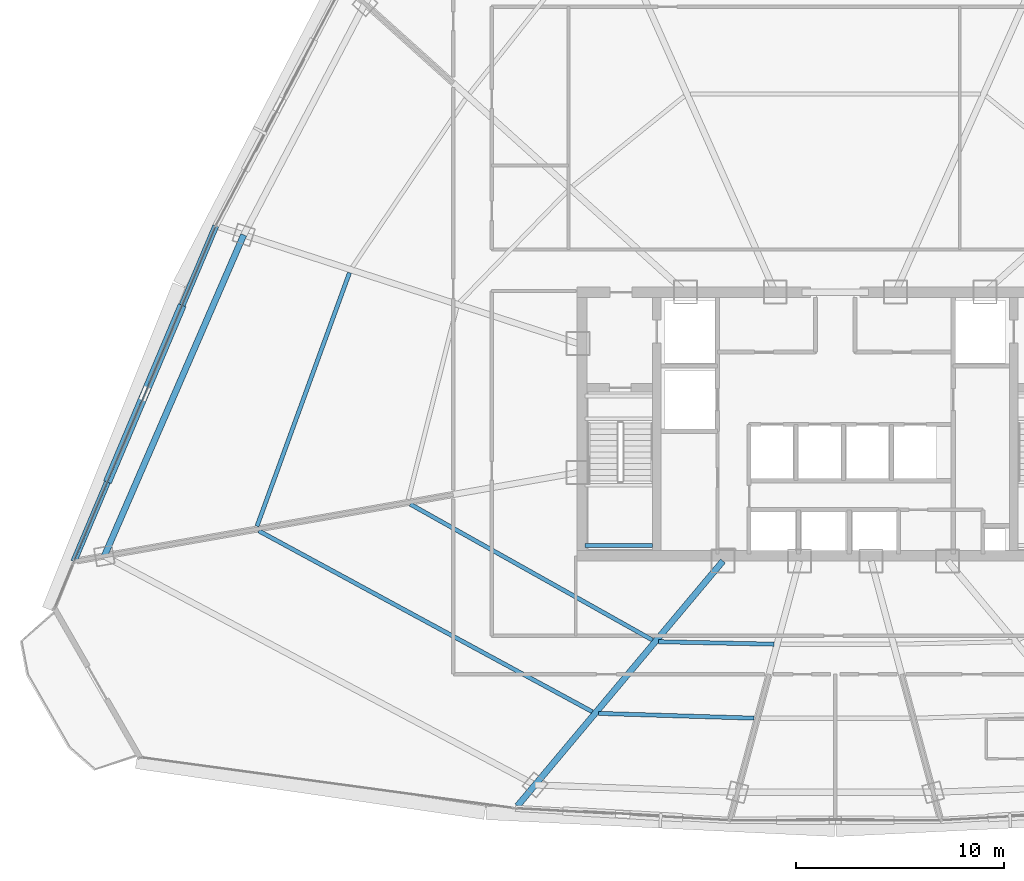
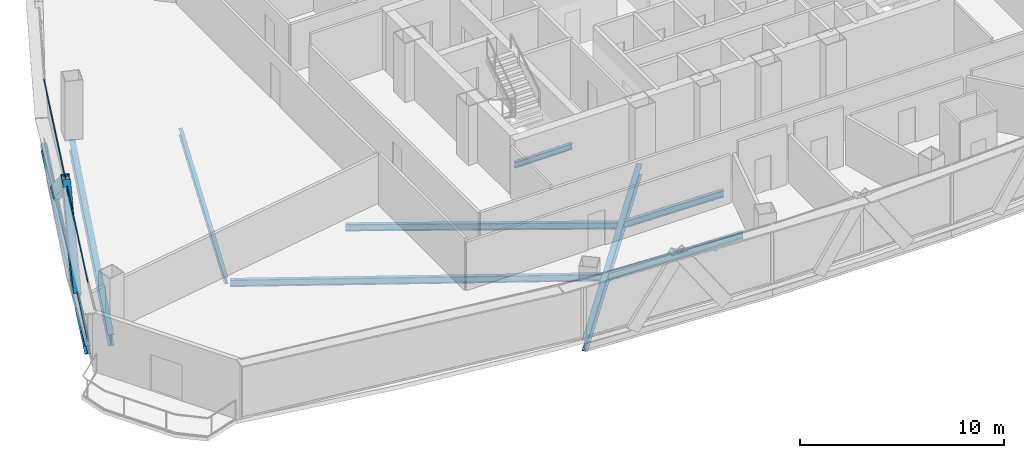
# One storey, part 7 of 36: 9 beams, 4 members, 1 element without a shape of its own.
"""IFC4 building model written with IfcOpenShell, lengths in metres."""

from ifc_helpers import new_model, si_unit, direction, frame, origin, origin_2d, place, context, subcontext, project, spatial, hollow_rectangle, i_section, extrude, source, transform, mapped, material, layer, layer_set, material_profile, profile_set, type_object, element, aggregate, save


model = new_model("IFC4")

# Units and contexts
model_context = context("Model", 3, precision=1e-05, world=origin(), true_north=direction((0.0, 1.0)))
body_context = subcontext(model_context, "Body", "Model", "MODEL_VIEW")
ifc_project = project(units=[si_unit("LENGTHUNIT", "METRE"), si_unit("AREAUNIT", "SQUARE_METRE"), si_unit("VOLUMEUNIT", "CUBIC_METRE"), si_unit("PLANEANGLEUNIT", "RADIAN"), si_unit("MASSUNIT", "GRAM", prefix="KILO"), si_unit("THERMODYNAMICTEMPERATUREUNIT", "KELVIN"), si_unit("POWERUNIT", "WATT")], contexts=[model_context])

# Site, building, storey
site_placement = place(None, origin())
site = spatial("IfcSite", under=ifc_project, at=site_placement, CompositionType="ELEMENT")
building_placement = place(site_placement, origin())
building = spatial("IfcBuilding", under=site, at=building_placement, Name="Yunzhuo Pagoda Commons", CompositionType="ELEMENT")
storey_placement = place(building_placement, frame((0.0, 0.0, 211.360107421875)))
storey = spatial("IfcBuildingStorey", under=building, at=storey_placement, Name="L53", CompositionType="ELEMENT", Elevation=211.360107421875)

# Beams
ifc_material_1 = material(Name="Structural steel Q355B", Category="steel")
ifc_material_profile_1 = material_profile(ifc_material_1, i_section(OverallWidth=0.175048828125, OverallDepth=0.35009765625, WebThickness=0.007080078125, FlangeThickness=0.010986328125, at=origin_2d()), Name="Structural steel Q355B")
ifc_profile_set_1 = profile_set([ifc_material_profile_1], Name="Structural steel Q355B")
beam_type_1 = type_object("IfcBeamType", Name="B-JS2 Joist HN 350x175x7x11", PredefinedType="JOIST", material=ifc_profile_set_1)
shared_shape_1 = source(origin(), body_context, "Body", "SweptSolid", [
    extrude(i_section(OverallWidth=0.175048828125, OverallDepth=0.35009765625, WebThickness=0.007080078125, FlangeThickness=0.010986328125, at=origin_2d()), origin(), (0.0, 0.0, 1.0), 3.25),
])
beam_1_placement = place(storey_placement, frame((35.949951171875, 28.0, 1.52490234375), z_axis=(1.0, 0.0, 0.0), x_axis=(0.0, 1.0, 0.0)))
element("IfcBeam", 1, at=beam_1_placement, inside=storey, type_object=beam_type_1, Name="L53 ST1 landing support beam 59A", PredefinedType="JOIST", context=body_context, shape_type="MappedRepresentation", body=[
    mapped(shared_shape_1, transform((0.0, 0.0, 0.0), scale=1.0)),
])
ifc_material_profile_2 = material_profile(ifc_material_1, i_section(OverallWidth=0.300048828125, OverallDepth=0.64990234375, WebThickness=0.012939453125, FlangeThickness=0.02197265625, at=origin_2d()), Name="Structural steel Q355B")
ifc_profile_set_2 = profile_set([ifc_material_profile_2], Name="Structural steel Q355B")
beam_type_2 = type_object("IfcBeamType", Name="B-RG2 Beam HN 650x300x13x22", PredefinedType="BEAM", material=ifc_profile_set_2)
shared_shape_2 = source(origin(), body_context, "Body", "SweptSolid", [
    extrude(i_section(OverallWidth=0.300048828125, OverallDepth=0.64990234375, WebThickness=0.012939453125, FlangeThickness=0.02197265625, at=origin_2d()), origin(), (0.0, 0.0, 1.0), 16.859619140625),
])
beam_2_placement = place(storey_placement, frame((19.50537109375, 42.95849609375, -0.585205078125), z_axis=(-0.398104384161, -0.917340121935, 0.0), x_axis=(0.917340121935, -0.398104384161, 0.0)))
element("IfcBeam", 2, at=beam_2_placement, inside=storey, type_object=beam_type_2, Name="L53 column-ring beam 11", PredefinedType="BEAM", context=body_context, shape_type="MappedRepresentation", body=[
    mapped(shared_shape_2, transform((0.0, 0.0, 0.0), scale=1.0)),
])
ifc_material_profile_3 = material_profile(ifc_material_1, i_section(OverallWidth=0.199951171875, OverallDepth=0.39990234375, WebThickness=0.008056640625, FlangeThickness=0.012939453125, at=origin_2d()), Name="Structural steel Q355B")
ifc_profile_set_3 = profile_set([ifc_material_profile_3], Name="Structural steel Q355B")
beam_type_3 = type_object("IfcBeamType", Name="B-JS1 Joist HN 400x200x8x13", PredefinedType="JOIST", material=ifc_profile_set_3)
shared_shape_3 = source(origin(), body_context, "Body", "SweptSolid", [
    extrude(i_section(OverallWidth=0.199951171875, OverallDepth=0.39990234375, WebThickness=0.008056640625, FlangeThickness=0.012939453125, at=origin_2d()), origin(), (0.0, 0.0, 1.0), 5.550537109375),
])
beam_3_placement = place(storey_placement, frame((39.489013671875, 23.3642578125, -0.460205078125), z_axis=(0.99976582056, -0.021640333643, 0.0), x_axis=(0.021640333643, 0.99976582056, 0.0)))
element("IfcBeam", 3, at=beam_3_placement, inside=storey, type_object=beam_type_3, Name="L53 composite ring joist 1.1", PredefinedType="JOIST", context=body_context, shape_type="MappedRepresentation", body=[
    mapped(shared_shape_3, transform((0.0, 0.0, 0.0), scale=1.0)),
])
shared_shape_4 = source(origin(), body_context, "Body", "SweptSolid", [
    extrude(i_section(OverallWidth=0.199951171875, OverallDepth=0.39990234375, WebThickness=0.008056640625, FlangeThickness=0.012939453125, at=origin_2d()), origin(), (0.0, 0.0, 1.0), 7.49365234375),
])
beam_4_placement = place(storey_placement, frame((36.593505859375, 19.911865234375, -0.460205078125), z_axis=(0.99952593018, -0.030788226605, 0.0), x_axis=(0.030788226605, 0.99952593018, 0.0)))
element("IfcBeam", 4, at=beam_4_placement, inside=storey, type_object=beam_type_3, Name="L53 composite ring joist 2.1", PredefinedType="JOIST", context=body_context, shape_type="MappedRepresentation", body=[
    mapped(shared_shape_4, transform((0.0, 0.0, 0.0), scale=1.0)),
])
shared_shape_5 = source(origin(), body_context, "Body", "SweptSolid", [
    extrude(i_section(OverallWidth=0.199951171875, OverallDepth=0.39990234375, WebThickness=0.008056640625, FlangeThickness=0.012939453125, at=origin_2d()), origin(), (0.0, 0.0, 1.0), 13.372802734375),
])
beam_5_placement = place(storey_placement, frame((27.5283203125, 29.988037109375, -0.460205078125), z_axis=(0.872150261016, -0.4892381038, 0.0), x_axis=(0.4892381038, 0.872150261016, 0.0)))
element("IfcBeam", 5, at=beam_5_placement, inside=storey, type_object=beam_type_3, Name="L53 composite ring joist 1.12", PredefinedType="JOIST", context=body_context, shape_type="MappedRepresentation", body=[
    mapped(shared_shape_5, transform((0.0, 0.0, 0.0), scale=1.0)),
])
shared_shape_6 = source(origin(), body_context, "Body", "SweptSolid", [
    extrude(i_section(OverallWidth=0.199951171875, OverallDepth=0.39990234375, WebThickness=0.008056640625, FlangeThickness=0.012939453125, at=origin_2d()), origin(), (0.0, 0.0, 1.0), 18.27294921875),
])
beam_6_placement = place(storey_placement, frame((20.2314453125, 28.703125, -0.460205078125), z_axis=(0.879067821824, -0.476696721861, 0.0), x_axis=(0.476696721861, 0.879067821824, 0.0)))
element("IfcBeam", 6, at=beam_6_placement, inside=storey, type_object=beam_type_3, Name="L53 composite ring joist 2.12", PredefinedType="JOIST", context=body_context, shape_type="MappedRepresentation", body=[
    mapped(shared_shape_6, transform((0.0, 0.0, 0.0), scale=1.0)),
])
shared_shape_7 = source(origin(), body_context, "Body", "SweptSolid", [
    extrude(i_section(OverallWidth=0.199951171875, OverallDepth=0.39990234375, WebThickness=0.008056640625, FlangeThickness=0.012939453125, at=origin_2d()), origin(), (0.0, 0.0, 1.0), 12.994873046875),
])
beam_7_placement = place(storey_placement, frame((24.60107421875, 41.1357421875, -0.460205078125), z_axis=(-0.342834977914, -0.939395645039, 0.0), x_axis=(0.939395645039, -0.342834977914, 0.0)))
element("IfcBeam", 7, at=beam_7_placement, inside=storey, type_object=beam_type_3, Name="L53 composite ring joist 2.11", PredefinedType="JOIST", context=body_context, shape_type="MappedRepresentation", body=[
    mapped(shared_shape_7, transform((0.0, 0.0, 0.0), scale=1.0)),
])
shared_shape_8 = source(origin(), body_context, "Body", "SweptSolid", [
    extrude(i_section(OverallWidth=0.300048828125, OverallDepth=0.64990234375, WebThickness=0.012939453125, FlangeThickness=0.02197265625, at=origin_2d()), origin(), (0.0, 0.0, 1.0), 15.397216796875),
])
beam_8_placement = place(storey_placement, frame((32.690673828125, 15.455078125, -0.585205078125), z_axis=(0.642791504822, 0.766041174695, 0.0), x_axis=(-0.766041174695, 0.642791504822, 0.0)))
element("IfcBeam", 8, at=beam_8_placement, inside=storey, type_object=beam_type_2, Name="L53 radial floor girder F1C1", PredefinedType="BEAM", context=body_context, shape_type="MappedRepresentation", body=[
    mapped(shared_shape_8, transform((0.0, 0.0, 0.0), scale=1.0)),
])
ifc_material_profile_4 = material_profile(ifc_material_1, i_section(OverallWidth=0.300048828125, OverallDepth=0.488037109375, WebThickness=0.010986328125, FlangeThickness=0.01806640625, at=origin_2d()), Name="Structural steel Q355B")
ifc_profile_set_4 = profile_set([ifc_material_profile_4], Name="Structural steel Q355B")
beam_type_4 = type_object("IfcBeamType", Name="B-SP1 Beam HM 488x300x11x18", PredefinedType="BEAM", material=ifc_profile_set_4)
shared_shape_9 = source(origin(), body_context, "Body", "SweptSolid", [
    extrude(i_section(OverallWidth=0.300048828125, OverallDepth=0.488037109375, WebThickness=0.010986328125, FlangeThickness=0.01806640625, at=origin_2d()), origin(), (0.0, 0.0, 1.0), 17.548828125),
])
beam_9_placement = place(storey_placement, frame((18.161865234375, 43.395263671875, -0.504150390625), z_axis=(-0.389608221454, -0.920980691315, 0.0), x_axis=(0.920980691315, -0.389608221454, 0.0)))
element("IfcBeam", 9, at=beam_9_placement, inside=storey, type_object=beam_type_4, Name="L53 facade edge spandrel beam F3.3", PredefinedType="BEAM", context=body_context, shape_type="MappedRepresentation", body=[
    mapped(shared_shape_9, transform((0.0, 0.0, 0.0), scale=1.0)),
])

# Members
ifc_material_profile_5 = material_profile(ifc_material_1, hollow_rectangle(XDim=0.39990234375, YDim=0.719970703125, WallThickness=0.02392578125, at=origin_2d()), Name="Structural steel Q355B")
ifc_profile_set_5 = profile_set([ifc_material_profile_5], Name="Structural steel Q355B")
member_type_1 = type_object("IfcMemberType", Name="M-DL2 Brace BOX 720x400x24", PredefinedType="BRACE", material=ifc_profile_set_5)
shared_shape_10 = source(origin(), body_context, "Body", "SweptSolid", [
    extrude(hollow_rectangle(XDim=0.39990234375, YDim=0.719970703125, WallThickness=0.02392578125, at=origin_2d()), origin(), (0.0, 0.0, 1.0), 5.8037109375),
])
member_1_placement = place(storey_placement, frame((16.452392578125, 39.3544921875, -0.260009765625), z_axis=(-0.294502620331, -0.696146816719, 0.654712010116), x_axis=(0.920977235922, -0.389616389431, 0.0)))
element("IfcMember", 10, at=member_1_placement, inside=storey, type_object=member_type_1, Name="L53 facade diamond brace F3.3L", PredefinedType="BRACE", context=body_context, shape_type="MappedRepresentation", body=[
    mapped(shared_shape_10, transform((0.0, 0.0, 0.0), scale=1.0)),
])
shared_shape_11 = source(origin(), body_context, "Body", "SweptSolid", [
    extrude(hollow_rectangle(XDim=0.39990234375, YDim=0.719970703125, WallThickness=0.02392578125, at=origin_2d()), origin(), (0.0, 0.0, 1.0), 5.803955078125),
])
member_2_placement = place(storey_placement, frame((13.0341796875, 31.273681640625, -0.260009765625), z_axis=(0.294455579089, 0.696177119132, 0.654700947563), x_axis=(-0.921005649906, 0.389549217483, 0.0)))
element("IfcMember", 11, at=member_2_placement, inside=storey, type_object=member_type_1, Name="L53 facade diamond brace F3.3R", PredefinedType="BRACE", context=body_context, shape_type="MappedRepresentation", body=[
    mapped(shared_shape_11, transform((0.0, 0.0, 0.0), scale=1.0)),
])

# Curtain wall, members
ifc_material_2 = material(Name="Anodized aluminium 6063-T6", Category="aluminium")
ifc_layer = layer(ifc_material_2, 0.14990234375)
ifc_layer_set = layer_set([ifc_layer], Name="Anodized aluminium 6063-T6")
curtain_wall_type = type_object("IfcCurtainWallType", Name="CW-MID Mid-Zone Ribbon Curtain Wall", PredefinedType="NOTDEFINED", material=ifc_layer_set)
curtain_wall_placement = place(storey_placement, origin())
curtain_wall = element("IfcCurtainWall", 12, at=curtain_wall_placement, inside=storey, type_object=curtain_wall_type, Name="L53 curtain wall CW-L53-F3B4", PredefinedType="NOTDEFINED")
ifc_material_profile_6 = material_profile(ifc_material_2, hollow_rectangle(XDim=0.054931640625, YDim=0.1298828125, WallThickness=0.00341796875, at=origin_2d()), Name="Anodized aluminium 6063-T6")
ifc_profile_set_6 = profile_set([ifc_material_profile_6], Name="Anodized aluminium 6063-T6")
member_type_2 = type_object("IfcMemberType", Name="CW-MID-T Transom RHS 130x55x3.5", PredefinedType="USERDEFINED", material=ifc_profile_set_6)
shared_shape_12 = source(origin(), body_context, "Body", "SweptSolid", [
    extrude(hollow_rectangle(XDim=0.054931640625, YDim=0.1298828125, WallThickness=0.00341796875, at=origin_2d()), origin(), (0.0, 0.0, 1.0), 17.428466796875),
])
member_3_placement = place(storey_placement, frame((18.138427734375, 43.33984375, 0.02734375), z_axis=(-0.389597034169, -0.920985423862, 0.0), x_axis=(0.920985423862, -0.389597034169, 0.0)))
member_3 = element("IfcMember", 13, at=member_3_placement, type_object=member_type_2, Name="CW transom 1.1", ObjectType="TRANSOM", PredefinedType="USERDEFINED", context=body_context, shape_type="MappedRepresentation", body=[
    mapped(shared_shape_12, transform((0.0, 0.0, 0.0), scale=1.0)),
])
member_4_placement = place(storey_placement, frame((18.138427734375, 43.33984375, 3.512451171875), z_axis=(-0.389597034169, -0.920985423862, 0.0), x_axis=(0.920985423862, -0.389597034169, 0.0)))
member_4 = element("IfcMember", 14, at=member_4_placement, type_object=member_type_2, Name="CW transom 1.2", ObjectType="TRANSOM", PredefinedType="USERDEFINED", context=body_context, shape_type="MappedRepresentation", body=[
    mapped(shared_shape_12, transform((0.0, 0.0, 0.0), scale=1.0)),
])
aggregate(curtain_wall, [member_3, member_4])

save(model, "model.ifc")
